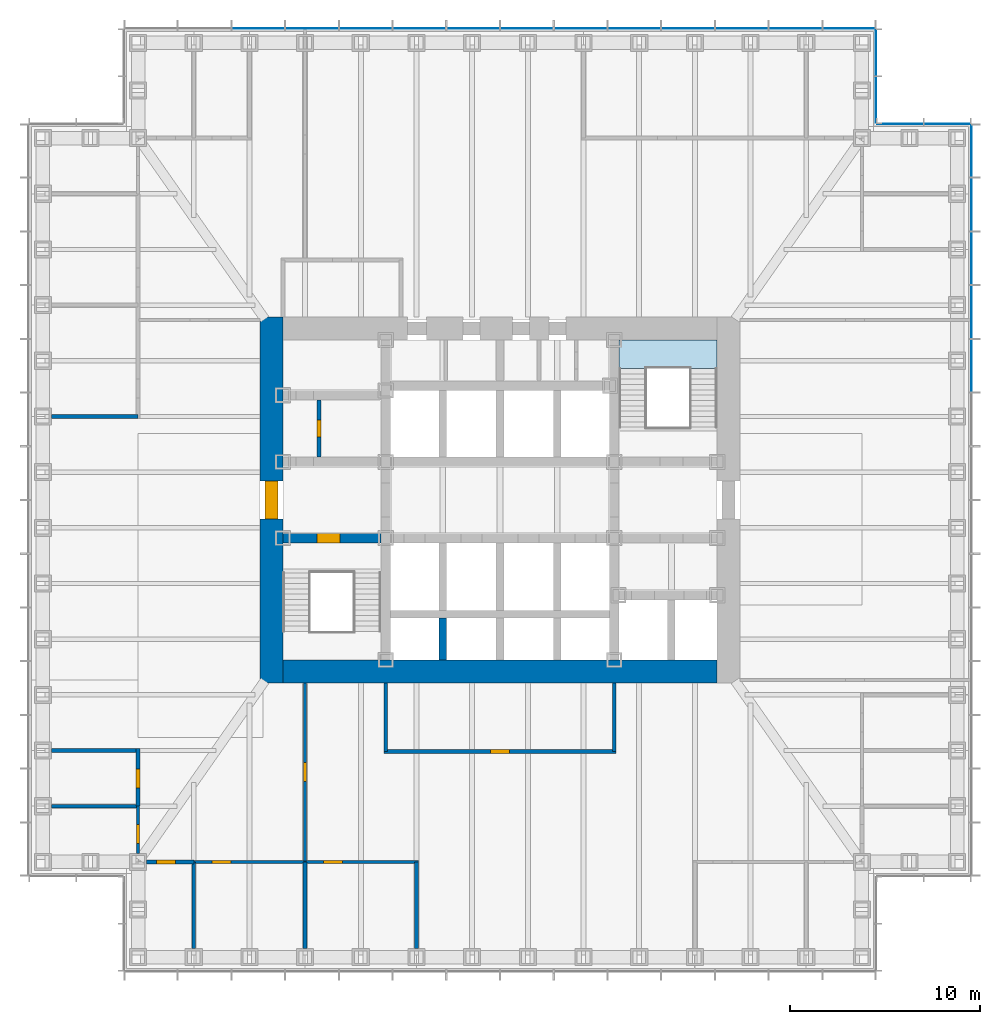
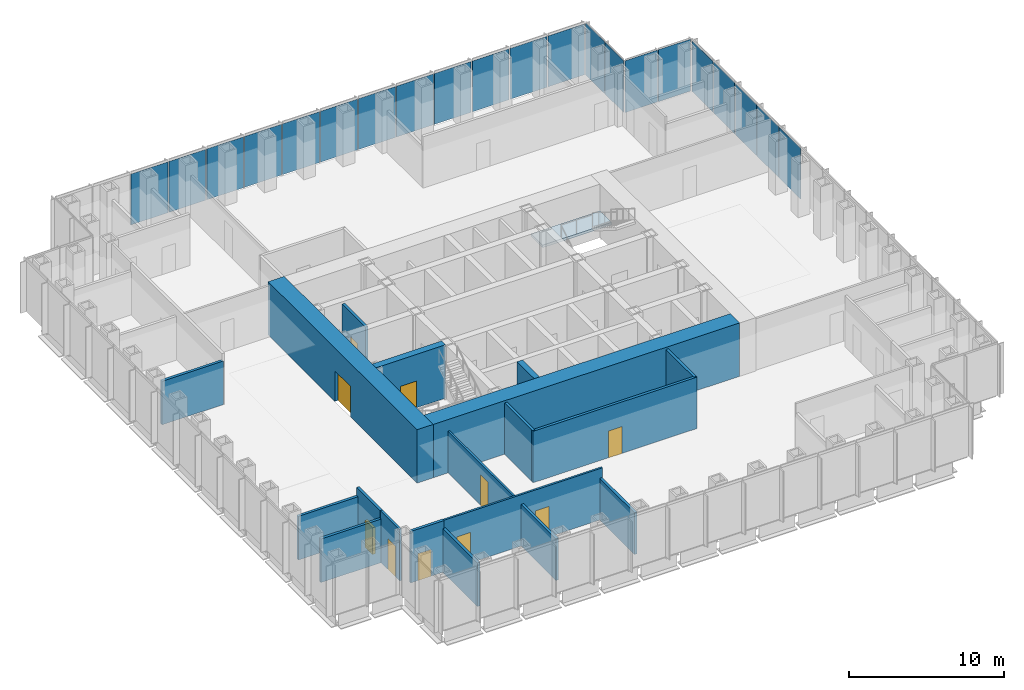
# One storey, part 8 of 17: 21 plates, 19 walls, 10 doors, 1 slab, 10 openings, 5 elements without a shape of their own.
"""IFC4 building model written with IfcOpenShell, lengths in metres."""

from ifc_helpers import new_model, si_unit, direction, frame, frame_2d, origin, origin_2d, place, context, subcontext, project, spatial, polyline, rectangle, outline, extrude, material, layer, layer_set, type_object, element, fill, aggregate, save


model = new_model("IFC4")

# Units and contexts
model_context = context("Model", 3, precision=1e-05, world=origin(), true_north=direction((0.0, 1.0)))
body_context = subcontext(model_context, "Body", "Model", "MODEL_VIEW")
ifc_project = project(units=[si_unit("LENGTHUNIT", "METRE"), si_unit("AREAUNIT", "SQUARE_METRE"), si_unit("VOLUMEUNIT", "CUBIC_METRE"), si_unit("PLANEANGLEUNIT", "RADIAN"), si_unit("MASSUNIT", "GRAM", prefix="KILO")], contexts=[model_context])

# Site, building, storey
site_placement = place(None, origin())
site = spatial("IfcSite", under=ifc_project, at=site_placement, CompositionType="ELEMENT")
building_placement = place(site_placement, origin())
building = spatial("IfcBuilding", under=site, at=building_placement, Name="Daluyong Arena Tower", CompositionType="ELEMENT")
storey_placement = place(building_placement, frame((0.0, 0.0, 81.10009765625)))
storey = spatial("IfcBuildingStorey", under=building, at=storey_placement, Name="L17", CompositionType="ELEMENT", Elevation=81.10009765625)

# Curtain wall, plates
ifc_material_1 = material(Name="Bronze anodised aluminium and glass", Category="aluminium")
curtain_wall_type_1 = type_object("IfcCurtainWallType", Name="Curtain wall CW1", PredefinedType="USERDEFINED", material=ifc_material_1)
curtain_wall_1_placement = place(storey_placement, origin())
curtain_wall_1 = element("IfcCurtainWall", 1, at=curtain_wall_1_placement, inside=storey, type_object=curtain_wall_type_1, Name="curtain wall L17 E", ObjectType="UNITISED CURTAIN WALL", PredefinedType="USERDEFINED")
ifc_material_2 = material(Name="Tinted double glazed unit", Category="glass")
ifc_layer_1 = layer(ifc_material_2, 0.031982421875)
ifc_layer_set_1 = layer_set([ifc_layer_1], Name="Tinted double glazed unit")
plate_type_1 = type_object("IfcPlateType", Name="CW1 panel 32", PredefinedType="CURTAIN_PANEL", material=ifc_layer_set_1)
plate_1_placement = place(storey_placement, frame((80.75, 87.053466796875, 0.0), z_axis=(0.0, 0.0, 1.0), x_axis=(0.0, 1.0, 0.0)))
plate_1 = element("IfcPlate", 2, at=plate_1_placement, type_object=plate_type_1, Name="curtain wall L17 E panel 10", PredefinedType="CURTAIN_PANEL", context=body_context, shape_type="SweptSolid", body=[
    extrude(rectangle(XDim=2.741455078125, YDim=0.031982421875, at=origin_2d()), origin(), (0.0, 0.0, 1.0), 4.0),
])
plate_2_placement = place(storey_placement, frame((80.75, 89.875, 0.0), z_axis=(0.0, 0.0, 1.0), x_axis=(0.0, 1.0, 0.0)))
plate_2 = element("IfcPlate", 3, at=plate_2_placement, type_object=plate_type_1, Name="curtain wall L17 E panel 11", PredefinedType="CURTAIN_PANEL", context=body_context, shape_type="SweptSolid", body=[
    extrude(rectangle(XDim=2.741455078125, YDim=0.031982421875, at=origin_2d()), origin(), (0.0, 0.0, 1.0), 4.0),
])
plate_3_placement = place(storey_placement, frame((80.75, 92.696533203125, 0.0), z_axis=(0.0, 0.0, 1.0), x_axis=(0.0, 1.0, 0.0)))
plate_3 = element("IfcPlate", 4, at=plate_3_placement, type_object=plate_type_1, Name="curtain wall L17 E panel 12", PredefinedType="CURTAIN_PANEL", context=body_context, shape_type="SweptSolid", body=[
    extrude(rectangle(XDim=2.741455078125, YDim=0.031982421875, at=origin_2d()), origin(), (0.0, 0.0, 1.0), 4.0),
])
plate_4_placement = place(storey_placement, frame((80.75, 95.517822265625, 0.0), z_axis=(0.0, 0.0, 1.0), x_axis=(0.0, 1.0, 0.0)))
plate_4 = element("IfcPlate", 5, at=plate_4_placement, type_object=plate_type_1, Name="curtain wall L17 E panel 13", PredefinedType="CURTAIN_PANEL", context=body_context, shape_type="SweptSolid", body=[
    extrude(rectangle(XDim=2.741455078125, YDim=0.031982421875, at=origin_2d()), origin(), (0.0, 0.0, 1.0), 4.0),
])
plate_5_placement = place(storey_placement, frame((80.75, 98.3193359375, 0.0), z_axis=(0.0, 0.0, 1.0), x_axis=(0.0, 1.0, 0.0)))
plate_5 = element("IfcPlate", 6, at=plate_5_placement, type_object=plate_type_1, Name="curtain wall L17 E panel 14", PredefinedType="CURTAIN_PANEL", context=body_context, shape_type="SweptSolid", body=[
    extrude(rectangle(XDim=2.701416015625, YDim=0.031982421875, at=origin_2d()), origin(), (0.0, 0.0, 1.0), 4.0),
])
aggregate(curtain_wall_1, [plate_1, plate_2, plate_3, plate_4, plate_5])

curtain_wall_2_placement = place(storey_placement, origin())
curtain_wall_2 = element("IfcCurtainWall", 7, at=curtain_wall_2_placement, inside=storey, type_object=curtain_wall_type_1, Name="curtain wall L17 N", ObjectType="UNITISED CURTAIN WALL", PredefinedType="USERDEFINED")
plate_6_placement = place(storey_placement, frame((74.3193359375, 104.75, 0.0), z_axis=(0.0, 0.0, 1.0), x_axis=(-1.0, 0.0, 0.0)))
plate_6 = element("IfcPlate", 8, at=plate_6_placement, type_object=plate_type_1, Name="curtain wall L17 N panel 1", PredefinedType="CURTAIN_PANEL", context=body_context, shape_type="SweptSolid", body=[
    extrude(rectangle(XDim=2.701416015625, YDim=0.031982421875, at=origin_2d()), origin(), (0.0, 0.0, 1.0), 4.0),
])
plate_7_placement = place(storey_placement, frame((71.517822265625, 104.75, 0.0), z_axis=(0.0, 0.0, 1.0), x_axis=(-1.0, 0.0, 0.0)))
plate_7 = element("IfcPlate", 9, at=plate_7_placement, type_object=plate_type_1, Name="curtain wall L17 N panel 2", PredefinedType="CURTAIN_PANEL", context=body_context, shape_type="SweptSolid", body=[
    extrude(rectangle(XDim=2.741455078125, YDim=0.031982421875, at=origin_2d()), origin(), (0.0, 0.0, 1.0), 4.0),
])
plate_8_placement = place(storey_placement, frame((68.696533203125, 104.75, 0.0), z_axis=(0.0, 0.0, 1.0), x_axis=(-1.0, 0.0, 0.0)))
plate_8 = element("IfcPlate", 10, at=plate_8_placement, type_object=plate_type_1, Name="curtain wall L17 N panel 3", PredefinedType="CURTAIN_PANEL", context=body_context, shape_type="SweptSolid", body=[
    extrude(rectangle(XDim=2.741455078125, YDim=0.031982421875, at=origin_2d()), origin(), (0.0, 0.0, 1.0), 4.0),
])
plate_9_placement = place(storey_placement, frame((65.875, 104.75, 0.0), z_axis=(0.0, 0.0, 1.0), x_axis=(-1.0, 0.0, 0.0)))
plate_9 = element("IfcPlate", 11, at=plate_9_placement, type_object=plate_type_1, Name="curtain wall L17 N panel 4", PredefinedType="CURTAIN_PANEL", context=body_context, shape_type="SweptSolid", body=[
    extrude(rectangle(XDim=2.741455078125, YDim=0.031982421875, at=origin_2d()), origin(), (0.0, 0.0, 1.0), 4.0),
])
plate_10_placement = place(storey_placement, frame((63.053466796875, 104.75, 0.0), z_axis=(0.0, 0.0, 1.0), x_axis=(-1.0, 0.0, 0.0)))
plate_10 = element("IfcPlate", 12, at=plate_10_placement, type_object=plate_type_1, Name="curtain wall L17 N panel 5", PredefinedType="CURTAIN_PANEL", context=body_context, shape_type="SweptSolid", body=[
    extrude(rectangle(XDim=2.741455078125, YDim=0.031982421875, at=origin_2d()), origin(), (0.0, 0.0, 1.0), 4.0),
])
plate_11_placement = place(storey_placement, frame((60.232177734375, 104.75, 0.0), z_axis=(0.0, 0.0, 1.0), x_axis=(-1.0, 0.0, 0.0)))
plate_11 = element("IfcPlate", 13, at=plate_11_placement, type_object=plate_type_1, Name="curtain wall L17 N panel 6", PredefinedType="CURTAIN_PANEL", context=body_context, shape_type="SweptSolid", body=[
    extrude(rectangle(XDim=2.741455078125, YDim=0.031982421875, at=origin_2d()), origin(), (0.0, 0.0, 1.0), 4.0),
])
plate_12_placement = place(storey_placement, frame((57.41064453125, 104.75, 0.0), z_axis=(0.0, 0.0, 1.0), x_axis=(-1.0, 0.0, 0.0)))
plate_12 = element("IfcPlate", 14, at=plate_12_placement, type_object=plate_type_1, Name="curtain wall L17 N panel 7", PredefinedType="CURTAIN_PANEL", context=body_context, shape_type="SweptSolid", body=[
    extrude(rectangle(XDim=2.741455078125, YDim=0.031982421875, at=origin_2d()), origin(), (0.0, 0.0, 1.0), 4.0),
])
plate_13_placement = place(storey_placement, frame((54.58935546875, 104.75, 0.0), z_axis=(0.0, 0.0, 1.0), x_axis=(-1.0, 0.0, 0.0)))
plate_13 = element("IfcPlate", 15, at=plate_13_placement, type_object=plate_type_1, Name="curtain wall L17 N panel 8", PredefinedType="CURTAIN_PANEL", context=body_context, shape_type="SweptSolid", body=[
    extrude(rectangle(XDim=2.741455078125, YDim=0.031982421875, at=origin_2d()), origin(), (0.0, 0.0, 1.0), 4.0),
])
plate_14_placement = place(storey_placement, frame((51.767822265625, 104.75, 0.0), z_axis=(0.0, 0.0, 1.0), x_axis=(-1.0, 0.0, 0.0)))
plate_14 = element("IfcPlate", 16, at=plate_14_placement, type_object=plate_type_1, Name="curtain wall L17 N panel 9", PredefinedType="CURTAIN_PANEL", context=body_context, shape_type="SweptSolid", body=[
    extrude(rectangle(XDim=2.741455078125, YDim=0.031982421875, at=origin_2d()), origin(), (0.0, 0.0, 1.0), 4.0),
])
plate_15_placement = place(storey_placement, frame((48.946533203125, 104.75, 0.0), z_axis=(0.0, 0.0, 1.0), x_axis=(-1.0, 0.0, 0.0)))
plate_15 = element("IfcPlate", 17, at=plate_15_placement, type_object=plate_type_1, Name="curtain wall L17 N panel 10", PredefinedType="CURTAIN_PANEL", context=body_context, shape_type="SweptSolid", body=[
    extrude(rectangle(XDim=2.741455078125, YDim=0.031982421875, at=origin_2d()), origin(), (0.0, 0.0, 1.0), 4.0),
])
plate_16_placement = place(storey_placement, frame((46.125, 104.75, 0.0), z_axis=(0.0, 0.0, 1.0), x_axis=(-1.0, 0.0, 0.0)))
plate_16 = element("IfcPlate", 18, at=plate_16_placement, type_object=plate_type_1, Name="curtain wall L17 N panel 11", PredefinedType="CURTAIN_PANEL", context=body_context, shape_type="SweptSolid", body=[
    extrude(rectangle(XDim=2.741455078125, YDim=0.031982421875, at=origin_2d()), origin(), (0.0, 0.0, 1.0), 4.0),
])
plate_17_placement = place(storey_placement, frame((43.303466796875, 104.75, 0.0), z_axis=(0.0, 0.0, 1.0), x_axis=(-1.0, 0.0, 0.0)))
plate_17 = element("IfcPlate", 19, at=plate_17_placement, type_object=plate_type_1, Name="curtain wall L17 N panel 12", PredefinedType="CURTAIN_PANEL", context=body_context, shape_type="SweptSolid", body=[
    extrude(rectangle(XDim=2.741455078125, YDim=0.031982421875, at=origin_2d()), origin(), (0.0, 0.0, 1.0), 4.0),
])
aggregate(curtain_wall_2, [plate_6, plate_7, plate_8, plate_9, plate_10, plate_11, plate_12, plate_13, plate_14, plate_15, plate_16, plate_17])

ifc_material_3 = material(Name="Bronze anodised aluminium and glass", Category="aluminium")
curtain_wall_type_2 = type_object("IfcCurtainWallType", Name="Curtain wall CW7", PredefinedType="USERDEFINED", material=ifc_material_3)
curtain_wall_3_placement = place(storey_placement, origin())
curtain_wall_3 = element("IfcCurtainWall", 20, at=curtain_wall_3_placement, inside=storey, type_object=curtain_wall_type_2, Name="curtain wall L17 NE-N", ObjectType="UNITISED CURTAIN WALL", PredefinedType="USERDEFINED")
ifc_material_4 = material(Name="Tinted double glazed unit", Category="glass")
ifc_layer_2 = layer(ifc_material_4, 0.028076171875)
ifc_layer_set_2 = layer_set([ifc_layer_2], Name="Tinted double glazed unit")
plate_type_2 = type_object("IfcPlateType", Name="CW7 panel 28", PredefinedType="CURTAIN_PANEL", material=ifc_layer_set_2)
plate_18_placement = place(storey_placement, frame((79.485107421875, 99.75, -0.000244140625), z_axis=(0.0, 0.0, 1.0), x_axis=(-1.0, 0.0, 0.0)))
plate_18 = element("IfcPlate", 21, at=plate_18_placement, type_object=plate_type_2, Name="curtain wall L17 NE-N panel 1", PredefinedType="CURTAIN_PANEL", context=body_context, shape_type="SweptSolid", body=[
    extrude(rectangle(XDim=2.409912109375, YDim=0.028076171875, at=origin_2d()), origin(), (0.0, 0.0, 1.0), 4.080078125),
])
plate_19_placement = place(storey_placement, frame((77.014892578125, 99.75, -0.000244140625), z_axis=(0.0, 0.0, 1.0), x_axis=(-1.0, 0.0, 0.0)))
plate_19 = element("IfcPlate", 22, at=plate_19_placement, type_object=plate_type_2, Name="curtain wall L17 NE-N panel 2", PredefinedType="CURTAIN_PANEL", context=body_context, shape_type="SweptSolid", body=[
    extrude(rectangle(XDim=2.409912109375, YDim=0.028076171875, at=origin_2d()), origin(), (0.0, 0.0, 1.0), 4.080078125),
])
aggregate(curtain_wall_3, [plate_18, plate_19])

curtain_wall_4_placement = place(storey_placement, origin())
curtain_wall_4 = element("IfcCurtainWall", 23, at=curtain_wall_4_placement, inside=storey, type_object=curtain_wall_type_2, Name="curtain wall L17 NE-E", ObjectType="UNITISED CURTAIN WALL", PredefinedType="USERDEFINED")
plate_20_placement = place(storey_placement, frame((75.75, 101.014892578125, -0.000244140625), z_axis=(0.0, 0.0, 1.0), x_axis=(0.0, 1.0, 0.0)))
plate_20 = element("IfcPlate", 24, at=plate_20_placement, type_object=plate_type_2, Name="curtain wall L17 NE-E panel 1", PredefinedType="CURTAIN_PANEL", context=body_context, shape_type="SweptSolid", body=[
    extrude(rectangle(XDim=2.409912109375, YDim=0.028076171875, at=origin_2d()), origin(), (0.0, 0.0, 1.0), 4.080078125),
])
plate_21_placement = place(storey_placement, frame((75.75, 103.485107421875, -0.000244140625), z_axis=(0.0, 0.0, 1.0), x_axis=(0.0, 1.0, 0.0)))
plate_21 = element("IfcPlate", 25, at=plate_21_placement, type_object=plate_type_2, Name="curtain wall L17 NE-E panel 2", PredefinedType="CURTAIN_PANEL", context=body_context, shape_type="SweptSolid", body=[
    extrude(rectangle(XDim=2.409912109375, YDim=0.028076171875, at=origin_2d()), origin(), (0.0, 0.0, 1.0), 4.080078125),
])
aggregate(curtain_wall_4, [plate_20, plate_21])

# Stair, slab
ifc_material_5 = material(Name="Concrete fc' 35 MPa", Category="concrete")
stair_type = type_object("IfcStairType", Name="Core exit stair", PredefinedType="HALF_TURN_STAIR", material=ifc_material_5)
stair_placement = place(storey_placement, origin())
stair = element("IfcStair", 26, at=stair_placement, inside=storey, type_object=stair_type, Name="exit stair B L17", PredefinedType="HALF_TURN_STAIR")
ifc_material_6 = material(Name="Concrete fc' 35 MPa", Category="concrete")
ifc_layer_3 = layer(ifc_material_6, 0.199951171875)
ifc_layer_set_3 = layer_set([ifc_layer_3], Name="Concrete fc' 35 MPa")
slab_type = type_object("IfcSlabType", Name="Stair landing 200", PredefinedType="LANDING", material=ifc_layer_set_3)
slab_placement = place(storey_placement, frame((0.0, 0.0, 1.89990234375)))
slab = element("IfcSlab", 27, at=slab_placement, type_object=slab_type, Name="STB landing 1", PredefinedType="LANDING", context=body_context, shape_type="SweptSolid", body=[
    extrude(outline(polyline([(62.25, 86.905029296875), (67.39990234375, 86.905029296875), (67.39990234375, 88.39990234375), (62.25, 88.39990234375), (62.25, 86.905029296875)])), origin(), (0.0, 0.0, 1.0), 0.199951171875),
])
aggregate(stair, [slab])

# Wall, opening, door
ifc_material_7 = material(Name="Concrete fc' 45 MPa", Category="concrete")
ifc_layer_4 = layer(ifc_material_7, 0.5)
ifc_layer_set_4 = layer_set([ifc_layer_4], Name="Concrete fc' 45 MPa")
wall_type_1 = type_object("IfcWallType", Name="Core inner wall 500", PredefinedType="SHEAR", material=ifc_layer_set_4)
wall_1_placement = place(storey_placement, frame((44.60009765625, 78.0, 0.0), z_axis=(0.0, 0.0, 1.0), x_axis=(1.0, 0.0, 0.0)))
wall_1 = element("IfcWall", 28, at=wall_1_placement, inside=storey, type_object=wall_type_1, Name="core inner wall at L17", PredefinedType="SHEAR", context=body_context, shape_type="SweptSolid", body=[
    extrude(rectangle(XDim=5.14990234375, YDim=0.5, at=frame_2d((2.574951171875, 0.0))), origin(), (0.0, 0.0, 1.0), 4.199951171875),
])
opening_1_placement = place(wall_1_placement, frame((1.800048828125, 0.0, 0.0)))
opening_1 = element("IfcOpeningElement", 29, at=opening_1_placement, cuts=wall_1, Name="Opening 17009", PredefinedType="OPENING", context=body_context, shape_type="SweptSolid", body=[
    extrude(rectangle(XDim=1.199951171875, YDim=2.10009765625, at=frame_2d((0.60009765625, 1.050048828125))), frame((0.0, 0.260009765625, 0.0), z_axis=(0.0, -1.0, 0.0), x_axis=(1.0, 0.0, 0.0)), (0.0, 0.0, 1.0), 0.52001953125),
])
ifc_material_8 = material(Name="Steel door, fire rated", Category="steel")
door_type_1 = type_object("IfcDoorType", Name="Stair door 1200", OperationType="SINGLE_SWING_LEFT", PredefinedType="DOOR", material=ifc_material_8)
door_1_placement = place(opening_1_placement, origin())
door_1 = element("IfcDoor", 30, at=door_1_placement, inside=storey, type_object=door_type_1, Name="stair A door 17009", OperationType="SINGLE_SWING_LEFT", OverallHeight=2.10009765625, OverallWidth=1.199951171875, PredefinedType="DOOR", context=body_context, shape_type="SweptSolid", body=[
    extrude(rectangle(XDim=1.199951171875, YDim=2.10009765625, at=frame_2d((0.60009765625, 1.050048828125))), frame((0.0, 0.249755859375, 0.0), z_axis=(0.0, -1.0, 0.0), x_axis=(1.0, 0.0, 0.0)), (0.0, 0.0, 1.0), 0.49951171875),
])
fill(opening_1, door_1)

ifc_material_9 = material(Name="Concrete fc' 60 MPa", Category="concrete")
ifc_layer_5 = layer(ifc_material_9, 1.199951171875)
ifc_layer_set_5 = layer_set([ifc_layer_5], Name="Concrete fc' 60 MPa")
wall_type_2 = type_object("IfcWallType", Name="Core wall 1200", PredefinedType="SHEAR", material=ifc_layer_set_5)
wall_2_placement = place(storey_placement, frame((44.0, 70.39990234375, 0.0), z_axis=(0.0, 0.0, 1.0), x_axis=(0.0, 1.0, 0.0)))
wall_2 = element("IfcWall", 31, at=wall_2_placement, inside=storey, type_object=wall_type_2, Name="core wall at L17", PredefinedType="SHEAR", context=body_context, shape_type="SweptSolid", body=[
    extrude(rectangle(XDim=19.2001953125, YDim=1.199951171875, at=frame_2d((9.60009765625, 0.0))), origin(), (0.0, 0.0, 1.0), 4.199951171875),
])
opening_2_placement = place(wall_2_placement, frame((8.60009765625, 0.0, 0.0)))
opening_2 = element("IfcOpeningElement", 32, at=opening_2_placement, cuts=wall_2, Name="Opening 17011", PredefinedType="OPENING", context=body_context, shape_type="SweptSolid", body=[
    extrude(rectangle(XDim=2.0, YDim=2.39990234375, at=frame_2d((1.0, 1.199951171875))), frame((0.0, 0.60986328125, 0.0), z_axis=(0.0, -1.0, 0.0), x_axis=(1.0, 0.0, 0.0)), (0.0, 0.0, 1.0), 1.219970703125),
])
ifc_material_10 = material(Name="Steel door, fire rated", Category="steel")
door_type_2 = type_object("IfcDoorType", Name="Core lobby double door 2000", OperationType="DOUBLE_DOOR_SINGLE_SWING", PredefinedType="DOOR", material=ifc_material_10)
door_2_placement = place(opening_2_placement, origin())
door_2 = element("IfcDoor", 33, at=door_2_placement, inside=storey, type_object=door_type_2, Name="core lobby door west 17011", OperationType="DOUBLE_DOOR_SINGLE_SWING", OverallHeight=2.39990234375, OverallWidth=2.0, PredefinedType="DOOR", context=body_context, shape_type="SweptSolid", body=[
    extrude(rectangle(XDim=2.0, YDim=2.39990234375, at=frame_2d((1.0, 1.199951171875))), frame((0.0, 0.35009765625, 0.0), z_axis=(0.0, -1.0, 0.0), x_axis=(1.0, 0.0, 0.0)), (0.0, 0.0, 1.0), 0.699951171875),
])
fill(opening_2, door_2)

# Wall
wall_3_placement = place(storey_placement, frame((44.60009765625, 71.0, 0.0), z_axis=(0.0, 0.0, 1.0), x_axis=(1.0, 0.0, 0.0)))
element("IfcWall", 34, at=wall_3_placement, inside=storey, type_object=wall_type_2, Name="core wall at L17", PredefinedType="SHEAR", context=body_context, shape_type="SweptSolid", body=[
    extrude(rectangle(XDim=22.7998046875, YDim=1.199951171875, at=frame_2d((11.39990234375, 0.0))), origin(), (0.0, 0.0, 1.0), 4.199951171875),
])

# Wall, opening, door
ifc_material_11 = material(Name="Concrete block partition, fire rated", Category="concrete")
ifc_layer_6 = layer(ifc_material_11, 0.199951171875)
ifc_layer_set_6 = layer_set([ifc_layer_6], Name="Concrete block partition, fire rated")
wall_type_3 = type_object("IfcWallType", Name="Fire-rated partition 200", PredefinedType="PARTITIONING", material=ifc_layer_set_6)
wall_4_placement = place(storey_placement, frame((46.5, 82.25, 0.0), z_axis=(0.0, 0.0, 1.0), x_axis=(0.0, 1.0, 0.0)))
wall_4 = element("IfcWall", 35, at=wall_4_placement, inside=storey, type_object=wall_type_3, Name="toilet lobby partition at L17", PredefinedType="PARTITIONING", context=body_context, shape_type="SweptSolid", body=[
    extrude(rectangle(XDim=3.0, YDim=0.199951171875, at=frame_2d((1.5, 0.0))), origin(), (0.0, 0.0, 1.0), 4.039794921875),
])
opening_3_placement = place(wall_4_placement, frame((1.050048828125, 0.0, 0.0)))
opening_3 = element("IfcOpeningElement", 36, at=opening_3_placement, cuts=wall_4, Name="Opening 17002", PredefinedType="OPENING", context=body_context, shape_type="SweptSolid", body=[
    extrude(rectangle(XDim=0.89990234375, YDim=2.10009765625, at=frame_2d((0.449951171875, 1.050048828125))), frame((0.0, 0.10986328125, 0.0), z_axis=(0.0, -1.0, 0.0), x_axis=(1.0, 0.0, 0.0)), (0.0, 0.0, 1.0), 0.219970703125),
])
ifc_material_12 = material(Name="Timber door", Category="wood")
door_type_3 = type_object("IfcDoorType", Name="Toilet door 900", OperationType="SINGLE_SWING_RIGHT", PredefinedType="DOOR", material=ifc_material_12)
door_3_placement = place(opening_3_placement, origin())
door_3 = element("IfcDoor", 37, at=door_3_placement, inside=storey, type_object=door_type_3, Name="male toilet door 17002", OperationType="SINGLE_SWING_RIGHT", OverallHeight=2.10009765625, OverallWidth=0.89990234375, PredefinedType="DOOR", context=body_context, shape_type="SweptSolid", body=[
    extrude(rectangle(XDim=0.89990234375, YDim=2.10009765625, at=frame_2d((0.449951171875, 1.050048828125))), frame((0.0, 0.099609375, 0.0), z_axis=(0.0, -1.0, 0.0), x_axis=(1.0, 0.0, 0.0)), (0.0, 0.0, 1.0), 0.199462890625),
])
fill(opening_3, door_3)

# Wall, openings, doors
ifc_material_13 = material(Name="Glazed aluminium partition", Category="aluminium")
ifc_layer_7 = layer(ifc_material_13, 0.14990234375)
ifc_layer_set_7 = layer_set([ifc_layer_7], Name="Glazed aluminium partition")
wall_type_4 = type_object("IfcWallType", Name="Glazed partition 150", PredefinedType="PARTITIONING", material=ifc_layer_set_7)
wall_5_placement = place(storey_placement, frame((39.923095703125, 61.0, 0.0), z_axis=(0.0, 0.0, 1.0), x_axis=(1.0, 0.0, 0.0)))
wall_5 = element("IfcWall", 38, at=wall_5_placement, inside=storey, type_object=wall_type_4, Name="glazed partition at L17", PredefinedType="PARTITIONING", context=body_context, shape_type="SweptSolid", body=[
    extrude(rectangle(XDim=11.792236328125, YDim=0.14990234375, at=frame_2d((5.89599609375, 0.0))), origin(), (0.0, 0.0, 1.0), 4.039794921875),
])
opening_4_placement = place(wall_5_placement, frame((0.96142578125, 0.0, 0.0)))
opening_4 = element("IfcOpeningElement", 39, at=opening_4_placement, cuts=wall_5, Name="Opening 17023", PredefinedType="OPENING", context=body_context, shape_type="SweptSolid", body=[
    extrude(rectangle(XDim=1.0, YDim=2.39990234375, at=frame_2d((0.5, 1.199951171875))), frame((0.0, 0.0849609375, 0.0), z_axis=(0.0, -1.0, 0.0), x_axis=(1.0, 0.0, 0.0)), (0.0, 0.0, 1.0), 0.169921875),
])
opening_5_placement = place(wall_5_placement, frame((6.8076171875, 0.0, 0.0)))
opening_5 = element("IfcOpeningElement", 40, at=opening_5_placement, cuts=wall_5, Name="Opening 17024", PredefinedType="OPENING", context=body_context, shape_type="SweptSolid", body=[
    extrude(rectangle(XDim=1.0, YDim=2.39990234375, at=frame_2d((0.5, 1.199951171875))), frame((0.0, 0.0849609375, 0.0), z_axis=(0.0, -1.0, 0.0), x_axis=(1.0, 0.0, 0.0)), (0.0, 0.0, 1.0), 0.169921875),
])
ifc_material_14 = material(Name="Glazed aluminium door", Category="aluminium")
door_type_4 = type_object("IfcDoorType", Name="Meeting room glazed door 1000", OperationType="SINGLE_SWING_RIGHT", PredefinedType="DOOR", material=ifc_material_14)
door_4_placement = place(opening_4_placement, origin())
door_4 = element("IfcDoor", 41, at=door_4_placement, inside=storey, type_object=door_type_4, Name="meeting room door 17023", OperationType="SINGLE_SWING_RIGHT", OverallHeight=2.39990234375, OverallWidth=1.0, PredefinedType="DOOR", context=body_context, shape_type="SweptSolid", body=[
    extrude(rectangle(XDim=1.0, YDim=2.39990234375, at=frame_2d((0.5, 1.199951171875))), frame((0.0, 0.07470703125, 0.0), z_axis=(0.0, -1.0, 0.0), x_axis=(1.0, 0.0, 0.0)), (0.0, 0.0, 1.0), 0.1494140625),
])
fill(opening_4, door_4)
door_5_placement = place(opening_5_placement, origin())
door_5 = element("IfcDoor", 42, at=door_5_placement, inside=storey, type_object=door_type_4, Name="meeting room door 17024", OperationType="SINGLE_SWING_RIGHT", OverallHeight=2.39990234375, OverallWidth=1.0, PredefinedType="DOOR", context=body_context, shape_type="SweptSolid", body=[
    extrude(rectangle(XDim=1.0, YDim=2.39990234375, at=frame_2d((0.5, 1.199951171875))), frame((0.0, 0.07470703125, 0.0), z_axis=(0.0, -1.0, 0.0), x_axis=(1.0, 0.0, 0.0)), (0.0, 0.0, 1.0), 0.1494140625),
])
fill(opening_5, door_5)

# Wall, opening, door
wall_6_placement = place(storey_placement, frame((37.0, 61.449951171875, 0.0), z_axis=(0.0, 0.0, 1.0), x_axis=(0.0, 1.0, 0.0)))
wall_6 = element("IfcWall", 43, at=wall_6_placement, inside=storey, type_object=wall_type_4, Name="glazed partition at L17", PredefinedType="PARTITIONING", context=body_context, shape_type="SweptSolid", body=[
    extrude(rectangle(XDim=2.47314453125, YDim=0.14990234375, at=frame_2d((1.236572265625, 0.0))), origin(), (0.0, 0.0, 1.0), 4.039794921875),
])
opening_6_placement = place(wall_6_placement, frame((0.511474609375, 0.0, 0.0)))
opening_6 = element("IfcOpeningElement", 44, at=opening_6_placement, cuts=wall_6, Name="Opening 17036", PredefinedType="OPENING", context=body_context, shape_type="SweptSolid", body=[
    extrude(rectangle(XDim=1.0, YDim=2.39990234375, at=frame_2d((0.5, 1.199951171875))), frame((0.0, 0.0849609375, 0.0), z_axis=(0.0, -1.0, 0.0), x_axis=(1.0, 0.0, 0.0)), (0.0, 0.0, 1.0), 0.169921875),
])
door_6_placement = place(opening_6_placement, origin())
door_6 = element("IfcDoor", 45, at=door_6_placement, inside=storey, type_object=door_type_4, Name="meeting room door 17036", OperationType="SINGLE_SWING_RIGHT", OverallHeight=2.39990234375, OverallWidth=1.0, PredefinedType="DOOR", context=body_context, shape_type="SweptSolid", body=[
    extrude(rectangle(XDim=1.0, YDim=2.39990234375, at=frame_2d((0.5, 1.199951171875))), frame((0.0, 0.07470703125, 0.0), z_axis=(0.0, -1.0, 0.0), x_axis=(1.0, 0.0, 0.0)), (0.0, 0.0, 1.0), 0.1494140625),
])
fill(opening_6, door_6)

wall_7_placement = place(storey_placement, frame((45.769287109375, 61.050048828125, 0.0), z_axis=(0.0, 0.0, 1.0), x_axis=(0.0, 1.0, 0.0)))
wall_7 = element("IfcWall", 46, at=wall_7_placement, inside=storey, type_object=wall_type_4, Name="glazed partition at L17", PredefinedType="PARTITIONING", context=body_context, shape_type="SweptSolid", body=[
    extrude(rectangle(XDim=9.349853515625, YDim=0.14990234375, at=frame_2d((4.6748046875, 0.0))), origin(), (0.0, 0.0, 1.0), 3.27783203125),
])
opening_7_placement = place(wall_7_placement, frame((4.175048828125, 0.0, 0.0)))
opening_7 = element("IfcOpeningElement", 47, at=opening_7_placement, cuts=wall_7, Name="Opening 17046", PredefinedType="OPENING", context=body_context, shape_type="SweptSolid", body=[
    extrude(rectangle(XDim=1.0, YDim=2.39990234375, at=frame_2d((0.5, 1.199951171875))), frame((0.0, 0.0849609375, 0.0), z_axis=(0.0, -1.0, 0.0), x_axis=(1.0, 0.0, 0.0)), (0.0, 0.0, 1.0), 0.169921875),
])
door_7_placement = place(opening_7_placement, origin())
door_7 = element("IfcDoor", 48, at=door_7_placement, inside=storey, type_object=door_type_4, Name="team area screen door 17046", OperationType="SINGLE_SWING_RIGHT", OverallHeight=2.39990234375, OverallWidth=1.0, PredefinedType="DOOR", context=body_context, shape_type="SweptSolid", body=[
    extrude(rectangle(XDim=1.0, YDim=2.39990234375, at=frame_2d((0.5, 1.199951171875))), frame((0.0, 0.07470703125, 0.0), z_axis=(0.0, -1.0, 0.0), x_axis=(1.0, 0.0, 0.0)), (0.0, 0.0, 1.0), 0.1494140625),
])
fill(opening_7, door_7)

# Walls
ifc_material_15 = material(Name="Concrete fc' 45 MPa", Category="concrete")
ifc_layer_8 = layer(ifc_material_15, 0.39990234375)
ifc_layer_set_8 = layer_set([ifc_layer_8], Name="Concrete fc' 45 MPa")
wall_type_5 = type_object("IfcWallType", Name="Lift shaft wall 400", PredefinedType="SHEAR", material=ifc_layer_set_8)
wall_8_placement = place(storey_placement, frame((53.0, 71.60009765625, 0.0), z_axis=(0.0, 0.0, 1.0), x_axis=(0.0, 1.0, 0.0)))
element("IfcWall", 49, at=wall_8_placement, inside=storey, type_object=wall_type_5, Name="lift shaft wall at L17", PredefinedType="SHEAR", context=body_context, shape_type="SweptSolid", body=[
    extrude(rectangle(XDim=2.199951171875, YDim=0.39990234375, at=frame_2d((1.10009765625, 0.0))), origin(), (0.0, 0.0, 1.0), 4.199951171875),
])
ifc_material_16 = material(Name="Concrete block partition", Category="concrete")
ifc_layer_9 = layer(ifc_material_16, 0.199951171875)
ifc_layer_set_9 = layer_set([ifc_layer_9], Name="Concrete block partition")
wall_type_6 = type_object("IfcWallType", Name="Partition 200", PredefinedType="PARTITIONING", material=ifc_layer_set_9)
wall_9_placement = place(storey_placement, frame((39.923095703125, 56.449951171875, 0.0), z_axis=(0.0, 0.0, 1.0), x_axis=(0.0, 1.0, 0.0)))
element("IfcWall", 50, at=wall_9_placement, inside=storey, type_object=wall_type_6, Name="partition at L17", PredefinedType="PARTITIONING", context=body_context, shape_type="SweptSolid", body=[
    extrude(rectangle(XDim=4.550048828125, YDim=0.199951171875, at=frame_2d((2.27490234375, 0.0))), origin(), (0.0, 0.0, 1.0), 3.427734375),
])
for number, where, z_axis, x_axis, name in (
    (51, (45.769287109375, 56.449951171875, 0.0), (0.0, 0.0, 1.0), (0.0, 1.0, 0.0), "partition at L17"),
    (52, (51.615478515625, 56.449951171875, 0.0), (0.0, 0.0, 1.0), (0.0, 1.0, 0.0), "partition at L17"),
):
    element("IfcWall", number, at=place(storey_placement, frame(where, z_axis=z_axis, x_axis=x_axis)), inside=storey, type_object=wall_type_6, Name=name, PredefinedType="PARTITIONING", context=body_context, shape_type="SweptSolid", body=[
        extrude(rectangle(XDim=4.550048828125, YDim=0.199951171875, at=frame_2d((2.27490234375, 0.0))), origin(), (0.0, 0.0, 1.0), 3.27783203125),
    ])
for number, where, z_axis, x_axis, name in (
    (53, (32.449951171875, 63.923095703125, 0.0), (0.0, 0.0, 1.0), (1.0, 0.0, 0.0), "partition at L17"),
    (54, (32.449951171875, 66.84619140625, 0.0), (0.0, 0.0, 1.0), (1.0, 0.0, 0.0), "partition at L17"),
    (55, (32.449951171875, 84.384521484375, 0.0), (0.0, 0.0, 1.0), (1.0, 0.0, 0.0), "partition at L17"),
):
    element("IfcWall", number, at=place(storey_placement, frame(where, z_axis=z_axis, x_axis=x_axis)), inside=storey, type_object=wall_type_6, Name=name, PredefinedType="PARTITIONING", context=body_context, shape_type="SweptSolid", body=[
        extrude(rectangle(XDim=4.550048828125, YDim=0.199951171875, at=frame_2d((2.27490234375, 0.0))), origin(), (0.0, 0.0, 1.0), 3.427734375),
    ])
for number, where, z_axis, x_axis, name in (
    (56, (50.0, 66.800048828125, 0.0), (0.0, 0.0, 1.0), (0.0, 1.0, 0.0), "partition at L17"),
    (57, (62.0, 66.800048828125, 0.0), (0.0, 0.0, 1.0), (0.0, 1.0, 0.0), "partition at L17"),
):
    element("IfcWall", number, at=place(storey_placement, frame(where, z_axis=z_axis, x_axis=x_axis)), inside=storey, type_object=wall_type_6, Name=name, PredefinedType="PARTITIONING", context=body_context, shape_type="SweptSolid", body=[
        extrude(rectangle(XDim=3.599853515625, YDim=0.199951171875, at=frame_2d((1.7998046875, 0.0))), origin(), (0.0, 0.0, 1.0), 4.039794921875),
    ])

# Wall, opening, door
wall_10_placement = place(storey_placement, frame((37.449951171875, 61.0, 0.0), z_axis=(0.0, 0.0, 1.0), x_axis=(1.0, 0.0, 0.0)))
wall_10 = element("IfcWall", 58, at=wall_10_placement, inside=storey, type_object=wall_type_6, Name="partition at L17", PredefinedType="PARTITIONING", context=body_context, shape_type="SweptSolid", body=[
    extrude(rectangle(XDim=2.47314453125, YDim=0.199951171875, at=frame_2d((1.236572265625, 0.0))), origin(), (0.0, 0.0, 1.0), 4.039794921875),
])
opening_8_placement = place(wall_10_placement, frame((0.511474609375, 0.0, 0.0)))
opening_8 = element("IfcOpeningElement", 59, at=opening_8_placement, cuts=wall_10, Name="Opening 17022", PredefinedType="OPENING", context=body_context, shape_type="SweptSolid", body=[
    extrude(rectangle(XDim=1.0, YDim=2.10009765625, at=frame_2d((0.5, 1.050048828125))), frame((0.0, 0.10986328125, 0.0), z_axis=(0.0, -1.0, 0.0), x_axis=(1.0, 0.0, 0.0)), (0.0, 0.0, 1.0), 0.219970703125),
])
ifc_material_17 = material(Name="Timber door", Category="wood")
door_type_5 = type_object("IfcDoorType", Name="Room door 1000", OperationType="SINGLE_SWING_LEFT", PredefinedType="DOOR", material=ifc_material_17)
door_8_placement = place(opening_8_placement, origin())
door_8 = element("IfcDoor", 60, at=door_8_placement, inside=storey, type_object=door_type_5, Name="wellness room door 17022", OperationType="SINGLE_SWING_LEFT", OverallHeight=2.10009765625, OverallWidth=1.0, PredefinedType="DOOR", context=body_context, shape_type="SweptSolid", body=[
    extrude(rectangle(XDim=1.0, YDim=2.10009765625, at=frame_2d((0.5, 1.050048828125))), frame((0.0, 0.099609375, 0.0), z_axis=(0.0, -1.0, 0.0), x_axis=(1.0, 0.0, 0.0)), (0.0, 0.0, 1.0), 0.199462890625),
])
fill(opening_8, door_8)

wall_11_placement = place(storey_placement, frame((49.89990234375, 66.800048828125, 0.0), z_axis=(0.0, 0.0, 1.0), x_axis=(1.0, 0.0, 0.0)))
wall_11 = element("IfcWall", 61, at=wall_11_placement, inside=storey, type_object=wall_type_6, Name="partition at L17", PredefinedType="PARTITIONING", context=body_context, shape_type="SweptSolid", body=[
    extrude(rectangle(XDim=12.2001953125, YDim=0.199951171875, at=frame_2d((6.10009765625, 0.0))), origin(), (0.0, 0.0, 1.0), 4.039794921875),
])
opening_9_placement = place(wall_11_placement, frame((5.60009765625, 0.0, 0.0)))
opening_9 = element("IfcOpeningElement", 62, at=opening_9_placement, cuts=wall_11, Name="Opening 17041", PredefinedType="OPENING", context=body_context, shape_type="SweptSolid", body=[
    extrude(rectangle(XDim=1.0, YDim=2.10009765625, at=frame_2d((0.5, 1.050048828125))), frame((0.0, 0.10986328125, 0.0), z_axis=(0.0, -1.0, 0.0), x_axis=(1.0, 0.0, 0.0)), (0.0, 0.0, 1.0), 0.219970703125),
])
door_9_placement = place(opening_9_placement, origin())
door_9 = element("IfcDoor", 63, at=door_9_placement, inside=storey, type_object=door_type_5, Name="pantry door 17041", OperationType="SINGLE_SWING_LEFT", OverallHeight=2.10009765625, OverallWidth=1.0, PredefinedType="DOOR", context=body_context, shape_type="SweptSolid", body=[
    extrude(rectangle(XDim=1.0, YDim=2.10009765625, at=frame_2d((0.5, 1.050048828125))), frame((0.0, 0.099609375, 0.0), z_axis=(0.0, -1.0, 0.0), x_axis=(1.0, 0.0, 0.0)), (0.0, 0.0, 1.0), 0.199462890625),
])
fill(opening_9, door_9)

wall_12_placement = place(storey_placement, frame((37.0, 63.923095703125, 0.0), z_axis=(0.0, 0.0, 1.0), x_axis=(0.0, 1.0, 0.0)))
wall_12 = element("IfcWall", 64, at=wall_12_placement, inside=storey, type_object=wall_type_6, Name="partition at L17", PredefinedType="PARTITIONING", context=body_context, shape_type="SweptSolid", body=[
    extrude(rectangle(XDim=3.02294921875, YDim=0.199951171875, at=frame_2d((1.511474609375, 0.0))), origin(), (0.0, 0.0, 1.0), 4.039794921875),
])
opening_10_placement = place(wall_12_placement, frame((0.96142578125, 0.0, 0.0)))
opening_10 = element("IfcOpeningElement", 65, at=opening_10_placement, cuts=wall_12, Name="Opening 17037", PredefinedType="OPENING", context=body_context, shape_type="SweptSolid", body=[
    extrude(rectangle(XDim=1.0, YDim=2.10009765625, at=frame_2d((0.5, 1.050048828125))), frame((0.0, 0.10986328125, 0.0), z_axis=(0.0, -1.0, 0.0), x_axis=(1.0, 0.0, 0.0)), (0.0, 0.0, 1.0), 0.219970703125),
])
door_10_placement = place(opening_10_placement, origin())
door_10 = element("IfcDoor", 66, at=door_10_placement, inside=storey, type_object=door_type_5, Name="quiet room door 17037", OperationType="SINGLE_SWING_LEFT", OverallHeight=2.10009765625, OverallWidth=1.0, PredefinedType="DOOR", context=body_context, shape_type="SweptSolid", body=[
    extrude(rectangle(XDim=1.0, YDim=2.10009765625, at=frame_2d((0.5, 1.050048828125))), frame((0.0, 0.099609375, 0.0), z_axis=(0.0, -1.0, 0.0), x_axis=(1.0, 0.0, 0.0)), (0.0, 0.0, 1.0), 0.199462890625),
])
fill(opening_10, door_10)

save(model, "model.ifc")
